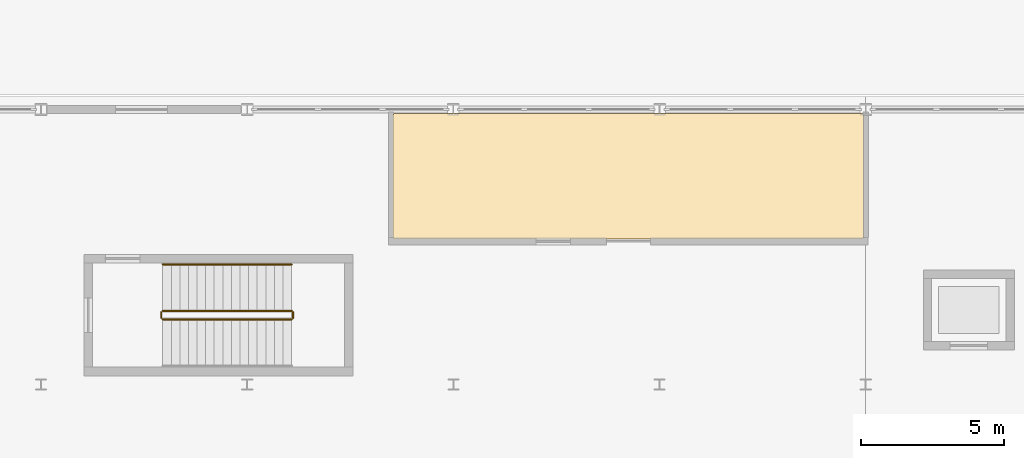
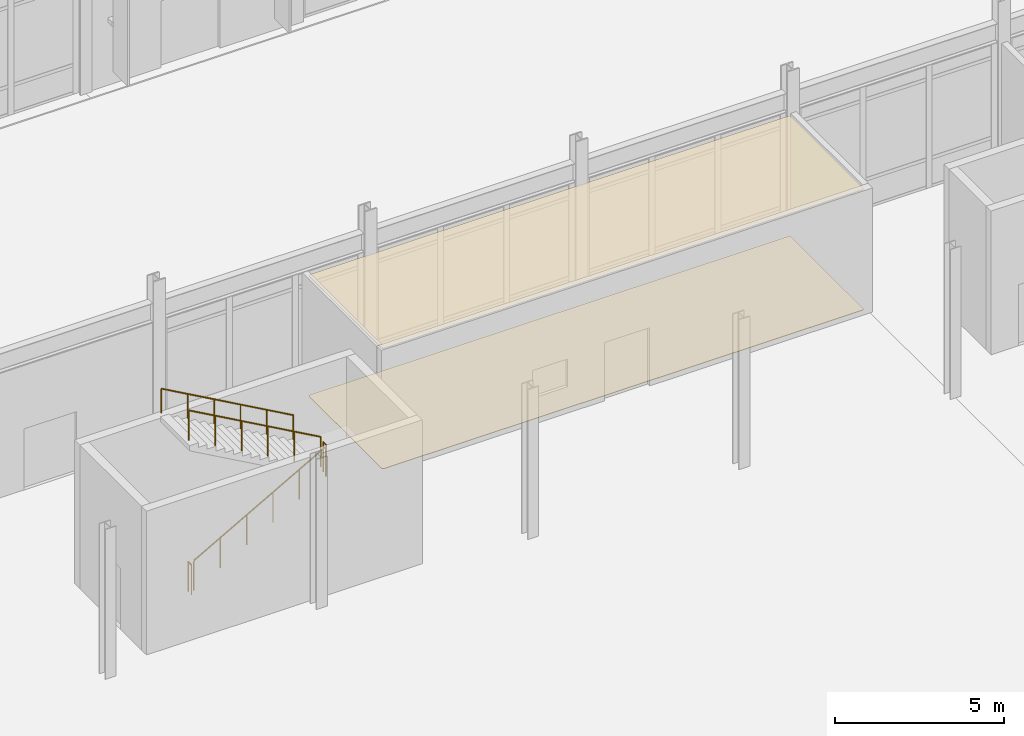
# One storey, part 85 of 104: 5 railings, 2 coverings.
"""IFC4 building model written with IfcOpenShell, lengths in metres."""

from ifc_helpers import new_model, si_unit, direction, frame, origin, origin_2d, place, context, subcontext, project, spatial, polyline, circle, outline, extrude, material, layer, layer_set, type_object, element, save


model = new_model("IFC4")

# Units and contexts
model_context = context("Model", 3, precision=1e-05, world=origin(), true_north=direction((0.0, 1.0)))
body_context = subcontext(model_context, "Body", "Model", "MODEL_VIEW")
ifc_project = project(units=[si_unit("LENGTHUNIT", "METRE"), si_unit("AREAUNIT", "SQUARE_METRE"), si_unit("VOLUMEUNIT", "CUBIC_METRE"), si_unit("PLANEANGLEUNIT", "RADIAN"), si_unit("MASSUNIT", "GRAM", prefix="KILO")], contexts=[model_context])

# Site, building, storey
site_placement = place(None, origin())
site = spatial("IfcSite", under=ifc_project, at=site_placement, CompositionType="ELEMENT")
building_placement = place(site_placement, origin())
building = spatial("IfcBuilding", under=site, at=building_placement, Name="Vaelcorin Mobility Hub", CompositionType="ELEMENT")
storey_placement = place(building_placement, origin())
storey = spatial("IfcBuildingStorey", under=building, at=storey_placement, Name="L00", CompositionType="ELEMENT", Elevation=0.0)

# Coverings
ifc_material_1 = material(Name="Perforated acoustic mineral-fibre ceiling tile")
ifc_layer_1 = layer(ifc_material_1, 0.030029296875)
ifc_layer_set_1 = layer_set([ifc_layer_1], Name="Perforated acoustic mineral-fibre ceiling tile")
covering_type_1 = type_object("IfcCoveringType", Name="COV-CEIL-3", PredefinedType="CEILING", material=ifc_layer_set_1)
covering_1_placement = place(storey_placement, frame((0.0, 0.0, 4.326904296875)))
element("IfcCovering", 1, at=covering_1_placement, inside=storey, type_object=covering_type_1, Name="Intermodal Ticketing Pavilion Acoustic Ceiling", PredefinedType="CEILING", context=body_context, shape_type="SweptSolid", body=[
    extrude(outline(polyline([(55.56005859375, 55.47998046875), (55.553955078125, 55.47998046875), (55.548095703125, 55.48095703125), (55.54296875, 55.48291015625), (55.537109375, 55.485107421875), (55.531982421875, 55.487060546875), (55.527099609375, 55.489990234375), (55.52197265625, 55.493896484375), (55.51806640625, 55.498046875), (55.513916015625, 55.501953125), (55.510009765625, 55.507080078125), (55.507080078125, 55.511962890625), (55.5048828125, 55.51708984375), (55.5029296875, 55.52294921875), (55.5009765625, 55.528076171875), (55.5, 55.533935546875), (55.5, 55.5400390625), (55.5, 59.800048828125), (55.5, 59.805908203125), (55.5009765625, 59.81201171875), (55.5029296875, 59.81689453125), (55.5048828125, 59.822998046875), (55.507080078125, 59.827880859375), (55.510009765625, 59.8330078125), (55.513916015625, 59.837890625), (55.51806640625, 59.842041015625), (55.52197265625, 59.845947265625), (55.527099609375, 59.85009765625), (55.531982421875, 59.85302734375), (55.537109375, 59.85498046875), (55.54296875, 59.85693359375), (55.548095703125, 59.85888671875), (55.553955078125, 59.860107421875), (55.56005859375, 59.860107421875), (71.860107421875, 59.860107421875), (71.865966796875, 59.860107421875), (71.8720703125, 59.85888671875), (71.876953125, 59.85693359375), (71.883056640625, 59.85498046875), (71.887939453125, 59.85302734375), (71.89306640625, 59.85009765625), (71.89794921875, 59.845947265625), (71.902099609375, 59.842041015625), (71.906005859375, 59.837890625), (71.909912109375, 59.8330078125), (71.9130859375, 59.827880859375), (71.9150390625, 59.822998046875), (71.9169921875, 59.81689453125), (71.9189453125, 59.81201171875), (71.919921875, 59.805908203125), (71.919921875, 59.800048828125), (71.919921875, 55.5400390625), (71.919921875, 55.533935546875), (71.9189453125, 55.528076171875), (71.9169921875, 55.52294921875), (71.9150390625, 55.51708984375), (71.9130859375, 55.511962890625), (71.909912109375, 55.507080078125), (71.906005859375, 55.501953125), (71.902099609375, 55.498046875), (71.89794921875, 55.493896484375), (71.89306640625, 55.489990234375), (71.887939453125, 55.487060546875), (71.883056640625, 55.485107421875), (71.876953125, 55.48291015625), (71.8720703125, 55.48095703125), (71.865966796875, 55.47998046875), (71.860107421875, 55.47998046875), (55.56005859375, 55.47998046875)])), origin(), (0.0, 0.0, 1.0), 0.030029296875),
])
ifc_material_2 = material(Name="Polished epoxy-terrazzo concourse flooring")
ifc_layer_2 = layer(ifc_material_2, 0.01806640625)
ifc_layer_set_2 = layer_set([ifc_layer_2], Name="Polished epoxy-terrazzo concourse flooring")
covering_type_2 = type_object("IfcCoveringType", Name="COV-FLR-1", PredefinedType="FLOORING", material=ifc_layer_set_2)
covering_2_placement = place(storey_placement, origin())
element("IfcCovering", 2, at=covering_2_placement, inside=storey, type_object=covering_type_2, Name="Intermodal Ticketing Pavilion Finish Flooring", PredefinedType="FLOORING", context=body_context, shape_type="SweptSolid", body=[
    extrude(outline(polyline([(55.56005859375, 55.47998046875), (55.553955078125, 55.47998046875), (55.548095703125, 55.48095703125), (55.54296875, 55.48291015625), (55.537109375, 55.485107421875), (55.531982421875, 55.487060546875), (55.527099609375, 55.489990234375), (55.52197265625, 55.493896484375), (55.51806640625, 55.498046875), (55.513916015625, 55.501953125), (55.510009765625, 55.507080078125), (55.507080078125, 55.511962890625), (55.5048828125, 55.51708984375), (55.5029296875, 55.52294921875), (55.5009765625, 55.528076171875), (55.5, 55.533935546875), (55.5, 55.5400390625), (55.5, 59.800048828125), (55.5, 59.805908203125), (55.5009765625, 59.81201171875), (55.5029296875, 59.81689453125), (55.5048828125, 59.822998046875), (55.507080078125, 59.827880859375), (55.510009765625, 59.8330078125), (55.513916015625, 59.837890625), (55.51806640625, 59.842041015625), (55.52197265625, 59.845947265625), (55.527099609375, 59.85009765625), (55.531982421875, 59.85302734375), (55.537109375, 59.85498046875), (55.54296875, 59.85693359375), (55.548095703125, 59.85888671875), (55.553955078125, 59.860107421875), (55.56005859375, 59.860107421875), (71.860107421875, 59.860107421875), (71.865966796875, 59.860107421875), (71.8720703125, 59.85888671875), (71.876953125, 59.85693359375), (71.883056640625, 59.85498046875), (71.887939453125, 59.85302734375), (71.89306640625, 59.85009765625), (71.89794921875, 59.845947265625), (71.902099609375, 59.842041015625), (71.906005859375, 59.837890625), (71.909912109375, 59.8330078125), (71.9130859375, 59.827880859375), (71.9150390625, 59.822998046875), (71.9169921875, 59.81689453125), (71.9189453125, 59.81201171875), (71.919921875, 59.805908203125), (71.919921875, 59.800048828125), (71.919921875, 55.5400390625), (71.919921875, 55.533935546875), (71.9189453125, 55.528076171875), (71.9169921875, 55.52294921875), (71.9150390625, 55.51708984375), (71.9130859375, 55.511962890625), (71.909912109375, 55.507080078125), (71.906005859375, 55.501953125), (71.902099609375, 55.498046875), (71.89794921875, 55.493896484375), (71.89306640625, 55.489990234375), (71.887939453125, 55.487060546875), (71.883056640625, 55.485107421875), (71.876953125, 55.48291015625), (71.8720703125, 55.48095703125), (71.865966796875, 55.47998046875), (71.860107421875, 55.47998046875), (55.56005859375, 55.47998046875)])), origin(), (0.0, 0.0, 1.0), 0.01806640625),
])

# Railings
ifc_material_3 = material(Name="Brushed stainless steel 316L", Category="steel")
ifc_layer_3 = layer(ifc_material_3, 0.048095703125)
ifc_layer_set_3 = layer_set([ifc_layer_3], Name="Brushed stainless steel 316L")
railing_type_1 = type_object("IfcRailingType", Name="RL-STAIR-GRD", PredefinedType="GUARDRAIL", material=ifc_layer_set_3)
railing_1_placement = place(storey_placement, frame((47.449951171875, 52.669921875, 0.168701171875)))
element("IfcRailing", 3, at=railing_1_placement, inside=storey, type_object=railing_type_1, Name="L00 ST7 stair guard 1", PredefinedType="GUARDRAIL", context=body_context, shape_type="SweptSolid", body=[
    extrude(circle(Radius=0.02392578125, at=origin_2d()), frame((0.0, 0.0, 1.076171875), z_axis=(0.871575537125, 0.0, 0.490261239633), x_axis=(0.0, 1.0, 0.0)), (0.0, 0.0, 1.0), 5.1630859375),
    extrude(circle(Radius=0.02099609375, at=origin_2d()), origin(), (0.0, 0.0, 1.0), 1.052001953125),
    extrude(circle(Radius=0.02099609375, at=origin_2d()), frame((0.89990234375, 0.0, 0.50634765625)), (0.0, 0.0, 1.0), 1.052001953125),
    extrude(circle(Radius=0.02099609375, at=origin_2d()), frame((1.800048828125, 0.0, 1.012451171875)), (0.0, 0.0, 1.0), 1.052001953125),
    extrude(circle(Radius=0.02099609375, at=origin_2d()), frame((2.699951171875, 0.0, 1.518798828125)), (0.0, 0.0, 1.0), 1.052001953125),
    extrude(circle(Radius=0.02099609375, at=origin_2d()), frame((3.60009765625, 0.0, 2.02490234375)), (0.0, 0.0, 1.0), 1.052001953125),
    extrude(circle(Radius=0.02099609375, at=origin_2d()), frame((4.5, 0.0, 2.53125)), (0.0, 0.0, 1.0), 1.052001953125),
])
railing_2_placement = place(storey_placement, frame((52.0, 52.719970703125, 2.699951171875)))
element("IfcRailing", 4, at=railing_2_placement, inside=storey, type_object=railing_type_1, Name="L00 ST7 stair guard 2", PredefinedType="GUARDRAIL", context=body_context, shape_type="SweptSolid", body=[
    extrude(circle(Radius=0.02392578125, at=origin_2d()), frame((0.0, 0.0, 1.076171875), z_axis=(0.0, 1.0, 0.0), x_axis=(-1.0, 0.0, 0.0)), (0.0, 0.0, 1.0), 0.199951171875),
    extrude(circle(Radius=0.02099609375, at=origin_2d()), origin(), (0.0, 0.0, 1.0), 1.052001953125),
    extrude(circle(Radius=0.02099609375, at=origin_2d()), frame((0.0, 0.199951171875, 0.0)), (0.0, 0.0, 1.0), 1.052001953125),
])
railing_3_placement = place(storey_placement, frame((51.949951171875, 52.969970703125, 2.86865234375)))
element("IfcRailing", 5, at=railing_3_placement, inside=storey, type_object=railing_type_1, Name="L00 ST7 stair guard 3", PredefinedType="GUARDRAIL", context=body_context, shape_type="SweptSolid", body=[
    extrude(circle(Radius=0.02392578125, at=origin_2d()), frame((0.0, 0.0, 1.076171875), z_axis=(-0.871575537125, 0.0, 0.490261239633), x_axis=(0.0, -1.0, 0.0)), (0.0, 0.0, 1.0), 5.1630859375),
    extrude(circle(Radius=0.02099609375, at=origin_2d()), origin(), (0.0, 0.0, 1.0), 1.052001953125),
    extrude(circle(Radius=0.02099609375, at=origin_2d()), frame((-0.89990234375, 0.0, 0.50634765625)), (0.0, 0.0, 1.0), 1.052001953125),
    extrude(circle(Radius=0.02099609375, at=origin_2d()), frame((-1.800048828125, 0.0, 1.012451171875)), (0.0, 0.0, 1.0), 1.052001953125),
    extrude(circle(Radius=0.02099609375, at=origin_2d()), frame((-2.699951171875, 0.0, 1.518798828125)), (0.0, 0.0, 1.0), 1.052001953125),
    extrude(circle(Radius=0.02099609375, at=origin_2d()), frame((-3.60009765625, 0.0, 2.02490234375)), (0.0, 0.0, 1.0), 1.052001953125),
    extrude(circle(Radius=0.02099609375, at=origin_2d()), frame((-4.5, 0.0, 2.53125)), (0.0, 0.0, 1.0), 1.052001953125),
])
railing_4_placement = place(storey_placement, frame((47.39990234375, 52.719970703125, 0.0)))
element("IfcRailing", 6, at=railing_4_placement, inside=storey, type_object=railing_type_1, Name="L00 ST7 stair guard 4", PredefinedType="GUARDRAIL", context=body_context, shape_type="SweptSolid", body=[
    extrude(circle(Radius=0.02392578125, at=origin_2d()), frame((0.0, 0.0, 1.076171875), z_axis=(0.0, 1.0, 0.0), x_axis=(-1.0, 0.0, 0.0)), (0.0, 0.0, 1.0), 0.199951171875),
    extrude(circle(Radius=0.02099609375, at=origin_2d()), origin(), (0.0, 0.0, 1.0), 1.052001953125),
    extrude(circle(Radius=0.02099609375, at=origin_2d()), frame((0.0, 0.199951171875, 0.0)), (0.0, 0.0, 1.0), 1.052001953125),
])
ifc_layer_4 = layer(ifc_material_3, 0.048095703125)
ifc_layer_set_4 = layer_set([ifc_layer_4], Name="Brushed stainless steel 316L")
railing_type_2 = type_object("IfcRailingType", Name="RL-STAIR-HR", PredefinedType="HANDRAIL", material=ifc_layer_set_4)
railing_5_placement = place(storey_placement, frame((51.949951171875, 54.590087890625, 2.86865234375)))
element("IfcRailing", 7, at=railing_5_placement, inside=storey, type_object=railing_type_2, Name="L00 ST7 stair handrail 2", PredefinedType="HANDRAIL", context=body_context, shape_type="SweptSolid", body=[
    extrude(circle(Radius=0.02392578125, at=origin_2d()), frame((0.0, 0.0, 0.8759765625), z_axis=(-0.871575537125, 0.0, 0.490261239633), x_axis=(0.0, -1.0, 0.0)), (0.0, 0.0, 1.0), 5.1630859375),
    extrude(circle(Radius=0.02099609375, at=origin_2d()), origin(), (0.0, 0.0, 1.0), 0.851806640625),
    extrude(circle(Radius=0.02099609375, at=origin_2d()), frame((-0.89990234375, 0.0, 0.50634765625)), (0.0, 0.0, 1.0), 0.851806640625),
    extrude(circle(Radius=0.02099609375, at=origin_2d()), frame((-1.800048828125, 0.0, 1.012451171875)), (0.0, 0.0, 1.0), 0.851806640625),
    extrude(circle(Radius=0.02099609375, at=origin_2d()), frame((-2.699951171875, 0.0, 1.518798828125)), (0.0, 0.0, 1.0), 0.851806640625),
    extrude(circle(Radius=0.02099609375, at=origin_2d()), frame((-3.60009765625, 0.0, 2.02490234375)), (0.0, 0.0, 1.0), 0.851806640625),
    extrude(circle(Radius=0.02099609375, at=origin_2d()), frame((-4.5, 0.0, 2.53125)), (0.0, 0.0, 1.0), 0.851806640625),
])

save(model, "model.ifc")
